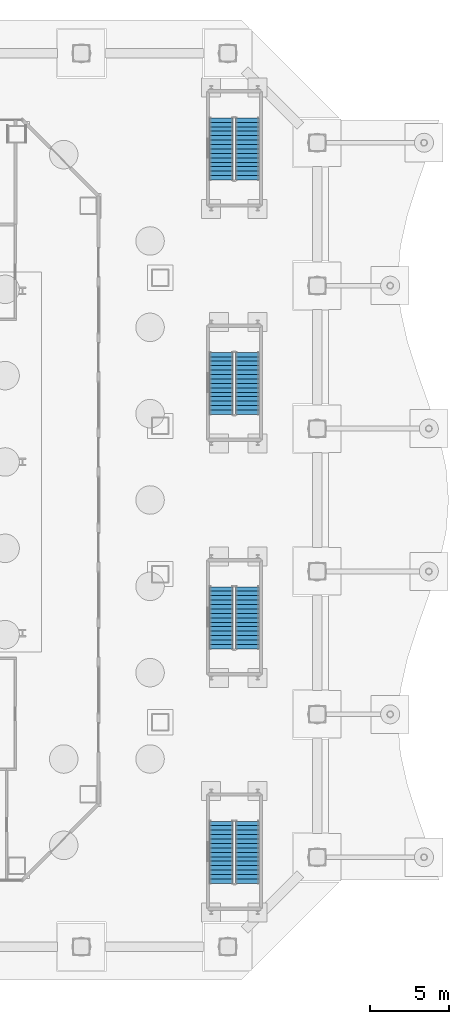
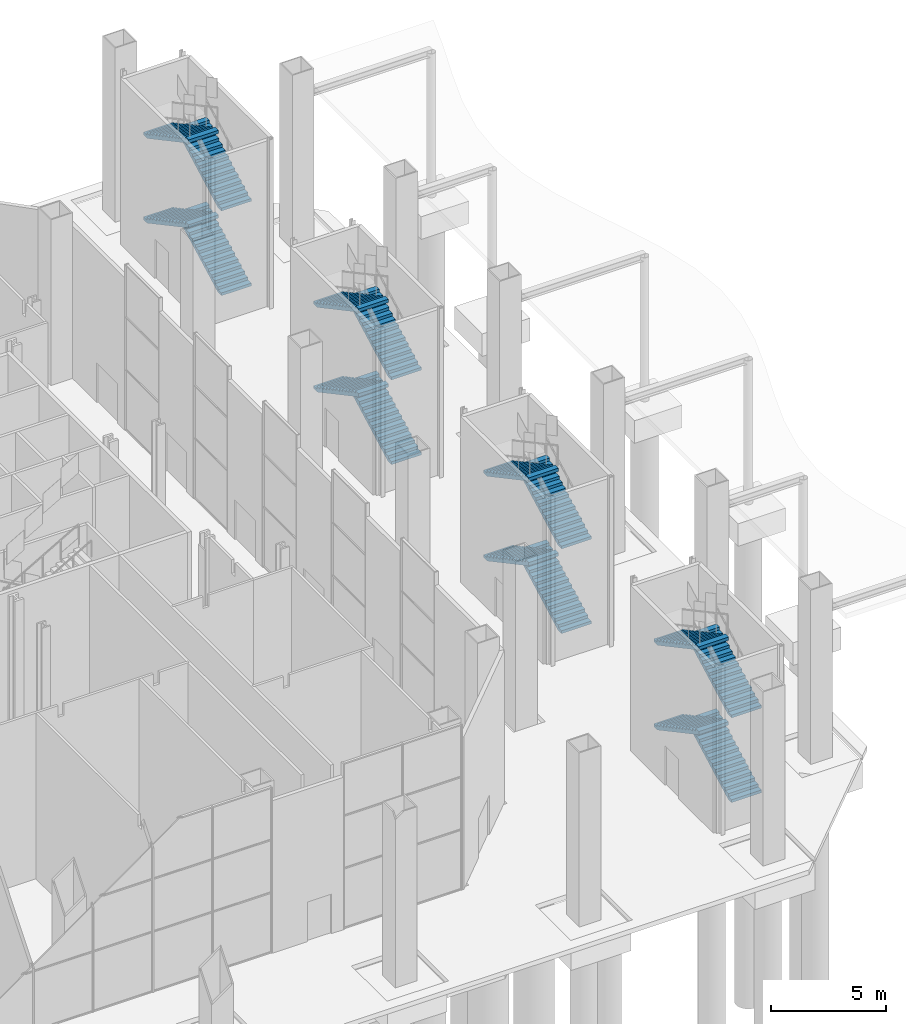
# One storey, part 29 of 38: 16 stair flights, 4 elements without a shape of their own.
"""IFC4 building model written with IfcOpenShell, lengths in metres."""

from ifc_helpers import new_model, si_unit, direction, frame, origin, place, context, subcontext, project, spatial, polyline, outline, extrude, material, type_object, element, aggregate, save


model = new_model("IFC4")

# Units and contexts
model_context = context("Model", 3, precision=1e-05, world=origin(), true_north=direction((0.0, 1.0)))
body_context = subcontext(model_context, "Body", "Model", "MODEL_VIEW")
ifc_project = project(units=[si_unit("LENGTHUNIT", "METRE"), si_unit("AREAUNIT", "SQUARE_METRE"), si_unit("VOLUMEUNIT", "CUBIC_METRE"), si_unit("PLANEANGLEUNIT", "RADIAN"), si_unit("MASSUNIT", "GRAM", prefix="KILO")], contexts=[model_context])

# Site, building, storey
site_placement = place(None, origin())
site = spatial("IfcSite", under=ifc_project, at=site_placement, CompositionType="ELEMENT")
building_placement = place(site_placement, origin())
building = spatial("IfcBuilding", under=site, at=building_placement, Name="Cairn Pilgrim Tower", CompositionType="ELEMENT")
storey_placement = place(building_placement, origin())
storey = spatial("IfcBuildingStorey", under=building, at=storey_placement, Name="L00", CompositionType="ELEMENT", Elevation=0.0)

# Stair, stair flights
ifc_material = material(Name="Concrete C35/45", Category="concrete")
stair_type = type_object("IfcStairType", Name="PODIUM EXIT STAIR 1500", PredefinedType="HALF_TURN_STAIR", material=ifc_material)
stair_1_placement = place(storey_placement, origin())
stair_1 = element("IfcStair", 1, at=stair_1_placement, inside=storey, type_object=stair_type, Name="L00 Exit Stair Es1", PredefinedType="HALF_TURN_STAIR")
stair_flight_type = type_object("IfcStairFlightType", Name="PODIUM STAIR FLIGHT 1500", PredefinedType="STRAIGHT", material=ifc_material)
stair_flight_1_placement = place(storey_placement, frame((33.39990234375, -24.199951171875, 0.0), z_axis=(0.0, 0.0, 1.0), x_axis=(0.0, 1.0, 0.0)))
stair_flight_1 = element("IfcStairFlight", 2, at=stair_flight_1_placement, type_object=stair_flight_type, Name="ST-ES1 flight 1", NumberOfRisers=15, NumberOfTreads=14, PredefinedType="STRAIGHT", RiserHeight=0.15, TreadLength=0.28, context=body_context, shape_type="SweptSolid", body=[
    extrude(outline(polyline([(0.0, 0.0), (0.0, 0.14990234375), (0.280029296875, 0.14990234375), (0.280029296875, 0.300048828125), (0.56005859375, 0.300048828125), (0.56005859375, 0.449951171875), (0.840087890625, 0.449951171875), (0.840087890625, 0.60009765625), (1.1201171875, 0.60009765625), (1.1201171875, 0.75), (1.39990234375, 0.75), (1.39990234375, 0.89990234375), (1.679931640625, 0.89990234375), (1.679931640625, 1.050048828125), (1.9599609375, 1.050048828125), (1.9599609375, 1.199951171875), (2.239990234375, 1.199951171875), (2.239990234375, 1.35009765625), (2.52001953125, 1.35009765625), (2.52001953125, 1.5), (2.800048828125, 1.5), (2.800048828125, 1.64990234375), (3.080078125, 1.64990234375), (3.080078125, 1.800048828125), (3.360107421875, 1.800048828125), (3.360107421875, 1.949951171875), (3.639892578125, 1.949951171875), (3.639892578125, 2.10009765625), (3.919921875, 2.10009765625), (3.919921875, 2.25), (3.919921875, 1.929931640625), (0.3173828125, 0.0), (0.0, 0.0)])), frame((0.0, 0.75, 0.0), z_axis=(0.0, -1.0, 0.0), x_axis=(1.0, 0.0, 0.0)), (0.0, 0.0, 1.0), 1.5),
])
stair_flight_2_placement = place(storey_placement, frame((31.75, -20.280029296875, 2.25), z_axis=(0.0, 0.0, 1.0), x_axis=(0.0, -1.0, 0.0)))
stair_flight_2 = element("IfcStairFlight", 3, at=stair_flight_2_placement, type_object=stair_flight_type, Name="ST-ES1 flight 2", NumberOfRisers=15, NumberOfTreads=14, PredefinedType="STRAIGHT", RiserHeight=0.15, TreadLength=0.28, context=body_context, shape_type="SweptSolid", body=[
    extrude(outline(polyline([(0.0, 0.0), (0.0, 0.14990234375), (0.280029296875, 0.14990234375), (0.280029296875, 0.300048828125), (0.56005859375, 0.300048828125), (0.56005859375, 0.449951171875), (0.840087890625, 0.449951171875), (0.840087890625, 0.60009765625), (1.1201171875, 0.60009765625), (1.1201171875, 0.75), (1.39990234375, 0.75), (1.39990234375, 0.89990234375), (1.679931640625, 0.89990234375), (1.679931640625, 1.050048828125), (1.9599609375, 1.050048828125), (1.9599609375, 1.199951171875), (2.239990234375, 1.199951171875), (2.239990234375, 1.35009765625), (2.52001953125, 1.35009765625), (2.52001953125, 1.5), (2.800048828125, 1.5), (2.800048828125, 1.64990234375), (3.080078125, 1.64990234375), (3.080078125, 1.800048828125), (3.360107421875, 1.800048828125), (3.360107421875, 1.949951171875), (3.639892578125, 1.949951171875), (3.639892578125, 2.10009765625), (3.919921875, 2.10009765625), (3.919921875, 2.25), (3.919921875, 1.929931640625), (0.3173828125, 0.0), (0.0, 0.0)])), frame((0.0, 0.75, 0.0), z_axis=(0.0, -1.0, 0.0), x_axis=(1.0, 0.0, 0.0)), (0.0, 0.0, 1.0), 1.5),
])
stair_flight_3_placement = place(storey_placement, frame((33.39990234375, -24.199951171875, 4.5), z_axis=(0.0, 0.0, 1.0), x_axis=(0.0, 1.0, 0.0)))
stair_flight_3 = element("IfcStairFlight", 4, at=stair_flight_3_placement, type_object=stair_flight_type, Name="ST-ES1 flight 3", NumberOfRisers=15, NumberOfTreads=14, PredefinedType="STRAIGHT", RiserHeight=0.15, TreadLength=0.28, context=body_context, shape_type="SweptSolid", body=[
    extrude(outline(polyline([(0.0, 0.0), (0.0, 0.14990234375), (0.280029296875, 0.14990234375), (0.280029296875, 0.300048828125), (0.56005859375, 0.300048828125), (0.56005859375, 0.449951171875), (0.840087890625, 0.449951171875), (0.840087890625, 0.60009765625), (1.1201171875, 0.60009765625), (1.1201171875, 0.75), (1.39990234375, 0.75), (1.39990234375, 0.89990234375), (1.679931640625, 0.89990234375), (1.679931640625, 1.050048828125), (1.9599609375, 1.050048828125), (1.9599609375, 1.199951171875), (2.239990234375, 1.199951171875), (2.239990234375, 1.35009765625), (2.52001953125, 1.35009765625), (2.52001953125, 1.5), (2.800048828125, 1.5), (2.800048828125, 1.64990234375), (3.080078125, 1.64990234375), (3.080078125, 1.800048828125), (3.360107421875, 1.800048828125), (3.360107421875, 1.949951171875), (3.639892578125, 1.949951171875), (3.639892578125, 2.10009765625), (3.919921875, 2.10009765625), (3.919921875, 2.25), (3.919921875, 1.929931640625), (0.3173828125, 0.0), (0.0, 0.0)])), frame((0.0, 0.75, 0.0), z_axis=(0.0, -1.0, 0.0), x_axis=(1.0, 0.0, 0.0)), (0.0, 0.0, 1.0), 1.5),
])
stair_flight_4_placement = place(storey_placement, frame((31.75, -20.280029296875, 6.75), z_axis=(0.0, 0.0, 1.0), x_axis=(0.0, -1.0, 0.0)))
stair_flight_4 = element("IfcStairFlight", 5, at=stair_flight_4_placement, type_object=stair_flight_type, Name="ST-ES1 flight 4", NumberOfRisers=15, NumberOfTreads=14, PredefinedType="STRAIGHT", RiserHeight=0.15, TreadLength=0.28, context=body_context, shape_type="SweptSolid", body=[
    extrude(outline(polyline([(0.0, 0.0), (0.0, 0.14990234375), (0.280029296875, 0.14990234375), (0.280029296875, 0.300048828125), (0.56005859375, 0.300048828125), (0.56005859375, 0.449951171875), (0.840087890625, 0.449951171875), (0.840087890625, 0.60009765625), (1.1201171875, 0.60009765625), (1.1201171875, 0.75), (1.39990234375, 0.75), (1.39990234375, 0.89990234375), (1.679931640625, 0.89990234375), (1.679931640625, 1.050048828125), (1.9599609375, 1.050048828125), (1.9599609375, 1.199951171875), (2.239990234375, 1.199951171875), (2.239990234375, 1.35009765625), (2.52001953125, 1.35009765625), (2.52001953125, 1.5), (2.800048828125, 1.5), (2.800048828125, 1.64990234375), (3.080078125, 1.64990234375), (3.080078125, 1.800048828125), (3.360107421875, 1.800048828125), (3.360107421875, 1.949951171875), (3.639892578125, 1.949951171875), (3.639892578125, 2.10009765625), (3.919921875, 2.10009765625), (3.919921875, 2.25), (3.919921875, 1.929931640625), (0.3173828125, 0.0), (0.0, 0.0)])), frame((0.0, 0.75, 0.0), z_axis=(0.0, -1.0, 0.0), x_axis=(1.0, 0.0, 0.0)), (0.0, 0.0, 1.0), 1.5),
])
aggregate(stair_1, [stair_flight_1, stair_flight_2, stair_flight_3, stair_flight_4])

stair_2_placement = place(storey_placement, origin())
stair_2 = element("IfcStair", 6, at=stair_2_placement, inside=storey, type_object=stair_type, Name="L00 Exit Stair Es2", PredefinedType="HALF_TURN_STAIR")
stair_flight_5_placement = place(storey_placement, frame((33.39990234375, -9.39990234375, 0.0), z_axis=(0.0, 0.0, 1.0), x_axis=(0.0, 1.0, 0.0)))
stair_flight_5 = element("IfcStairFlight", 7, at=stair_flight_5_placement, type_object=stair_flight_type, Name="ST-ES2 flight 1", NumberOfRisers=15, NumberOfTreads=14, PredefinedType="STRAIGHT", RiserHeight=0.15, TreadLength=0.28, context=body_context, shape_type="SweptSolid", body=[
    extrude(outline(polyline([(0.0, 0.0), (0.0, 0.14990234375), (0.280029296875, 0.14990234375), (0.280029296875, 0.300048828125), (0.56005859375, 0.300048828125), (0.56005859375, 0.449951171875), (0.840087890625, 0.449951171875), (0.840087890625, 0.60009765625), (1.1201171875, 0.60009765625), (1.1201171875, 0.75), (1.39990234375, 0.75), (1.39990234375, 0.89990234375), (1.679931640625, 0.89990234375), (1.679931640625, 1.050048828125), (1.9599609375, 1.050048828125), (1.9599609375, 1.199951171875), (2.239990234375, 1.199951171875), (2.239990234375, 1.35009765625), (2.52001953125, 1.35009765625), (2.52001953125, 1.5), (2.800048828125, 1.5), (2.800048828125, 1.64990234375), (3.080078125, 1.64990234375), (3.080078125, 1.800048828125), (3.360107421875, 1.800048828125), (3.360107421875, 1.949951171875), (3.639892578125, 1.949951171875), (3.639892578125, 2.10009765625), (3.919921875, 2.10009765625), (3.919921875, 2.25), (3.919921875, 1.929931640625), (0.3173828125, 0.0), (0.0, 0.0)])), frame((0.0, 0.75, 0.0), z_axis=(0.0, -1.0, 0.0), x_axis=(1.0, 0.0, 0.0)), (0.0, 0.0, 1.0), 1.5),
])
stair_flight_6_placement = place(storey_placement, frame((31.75, -5.47998046875, 2.25), z_axis=(0.0, 0.0, 1.0), x_axis=(0.0, -1.0, 0.0)))
stair_flight_6 = element("IfcStairFlight", 8, at=stair_flight_6_placement, type_object=stair_flight_type, Name="ST-ES2 flight 2", NumberOfRisers=15, NumberOfTreads=14, PredefinedType="STRAIGHT", RiserHeight=0.15, TreadLength=0.28, context=body_context, shape_type="SweptSolid", body=[
    extrude(outline(polyline([(0.0, 0.0), (0.0, 0.14990234375), (0.280029296875, 0.14990234375), (0.280029296875, 0.300048828125), (0.56005859375, 0.300048828125), (0.56005859375, 0.449951171875), (0.840087890625, 0.449951171875), (0.840087890625, 0.60009765625), (1.1201171875, 0.60009765625), (1.1201171875, 0.75), (1.39990234375, 0.75), (1.39990234375, 0.89990234375), (1.679931640625, 0.89990234375), (1.679931640625, 1.050048828125), (1.9599609375, 1.050048828125), (1.9599609375, 1.199951171875), (2.239990234375, 1.199951171875), (2.239990234375, 1.35009765625), (2.52001953125, 1.35009765625), (2.52001953125, 1.5), (2.800048828125, 1.5), (2.800048828125, 1.64990234375), (3.080078125, 1.64990234375), (3.080078125, 1.800048828125), (3.360107421875, 1.800048828125), (3.360107421875, 1.949951171875), (3.639892578125, 1.949951171875), (3.639892578125, 2.10009765625), (3.919921875, 2.10009765625), (3.919921875, 2.25), (3.919921875, 1.929931640625), (0.3173828125, 0.0), (0.0, 0.0)])), frame((0.0, 0.75, 0.0), z_axis=(0.0, -1.0, 0.0), x_axis=(1.0, 0.0, 0.0)), (0.0, 0.0, 1.0), 1.5),
])
stair_flight_7_placement = place(storey_placement, frame((33.39990234375, -9.39990234375, 4.5), z_axis=(0.0, 0.0, 1.0), x_axis=(0.0, 1.0, 0.0)))
stair_flight_7 = element("IfcStairFlight", 9, at=stair_flight_7_placement, type_object=stair_flight_type, Name="ST-ES2 flight 3", NumberOfRisers=15, NumberOfTreads=14, PredefinedType="STRAIGHT", RiserHeight=0.15, TreadLength=0.28, context=body_context, shape_type="SweptSolid", body=[
    extrude(outline(polyline([(0.0, 0.0), (0.0, 0.14990234375), (0.280029296875, 0.14990234375), (0.280029296875, 0.300048828125), (0.56005859375, 0.300048828125), (0.56005859375, 0.449951171875), (0.840087890625, 0.449951171875), (0.840087890625, 0.60009765625), (1.1201171875, 0.60009765625), (1.1201171875, 0.75), (1.39990234375, 0.75), (1.39990234375, 0.89990234375), (1.679931640625, 0.89990234375), (1.679931640625, 1.050048828125), (1.9599609375, 1.050048828125), (1.9599609375, 1.199951171875), (2.239990234375, 1.199951171875), (2.239990234375, 1.35009765625), (2.52001953125, 1.35009765625), (2.52001953125, 1.5), (2.800048828125, 1.5), (2.800048828125, 1.64990234375), (3.080078125, 1.64990234375), (3.080078125, 1.800048828125), (3.360107421875, 1.800048828125), (3.360107421875, 1.949951171875), (3.639892578125, 1.949951171875), (3.639892578125, 2.10009765625), (3.919921875, 2.10009765625), (3.919921875, 2.25), (3.919921875, 1.929931640625), (0.3173828125, 0.0), (0.0, 0.0)])), frame((0.0, 0.75, 0.0), z_axis=(0.0, -1.0, 0.0), x_axis=(1.0, 0.0, 0.0)), (0.0, 0.0, 1.0), 1.5),
])
stair_flight_8_placement = place(storey_placement, frame((31.75, -5.47998046875, 6.75), z_axis=(0.0, 0.0, 1.0), x_axis=(0.0, -1.0, 0.0)))
stair_flight_8 = element("IfcStairFlight", 10, at=stair_flight_8_placement, type_object=stair_flight_type, Name="ST-ES2 flight 4", NumberOfRisers=15, NumberOfTreads=14, PredefinedType="STRAIGHT", RiserHeight=0.15, TreadLength=0.28, context=body_context, shape_type="SweptSolid", body=[
    extrude(outline(polyline([(0.0, 0.0), (0.0, 0.14990234375), (0.280029296875, 0.14990234375), (0.280029296875, 0.300048828125), (0.56005859375, 0.300048828125), (0.56005859375, 0.449951171875), (0.840087890625, 0.449951171875), (0.840087890625, 0.60009765625), (1.1201171875, 0.60009765625), (1.1201171875, 0.75), (1.39990234375, 0.75), (1.39990234375, 0.89990234375), (1.679931640625, 0.89990234375), (1.679931640625, 1.050048828125), (1.9599609375, 1.050048828125), (1.9599609375, 1.199951171875), (2.239990234375, 1.199951171875), (2.239990234375, 1.35009765625), (2.52001953125, 1.35009765625), (2.52001953125, 1.5), (2.800048828125, 1.5), (2.800048828125, 1.64990234375), (3.080078125, 1.64990234375), (3.080078125, 1.800048828125), (3.360107421875, 1.800048828125), (3.360107421875, 1.949951171875), (3.639892578125, 1.949951171875), (3.639892578125, 2.10009765625), (3.919921875, 2.10009765625), (3.919921875, 2.25), (3.919921875, 1.929931640625), (0.3173828125, 0.0), (0.0, 0.0)])), frame((0.0, 0.75, 0.0), z_axis=(0.0, -1.0, 0.0), x_axis=(1.0, 0.0, 0.0)), (0.0, 0.0, 1.0), 1.5),
])
aggregate(stair_2, [stair_flight_5, stair_flight_6, stair_flight_7, stair_flight_8])

stair_3_placement = place(storey_placement, origin())
stair_3 = element("IfcStair", 11, at=stair_3_placement, inside=storey, type_object=stair_type, Name="L00 Exit Stair Es3", PredefinedType="HALF_TURN_STAIR")
stair_flight_9_placement = place(storey_placement, frame((33.39990234375, 5.39990234375, 0.0), z_axis=(0.0, 0.0, 1.0), x_axis=(0.0, 1.0, 0.0)))
stair_flight_9 = element("IfcStairFlight", 12, at=stair_flight_9_placement, type_object=stair_flight_type, Name="ST-ES3 flight 1", NumberOfRisers=15, NumberOfTreads=14, PredefinedType="STRAIGHT", RiserHeight=0.15, TreadLength=0.28, context=body_context, shape_type="SweptSolid", body=[
    extrude(outline(polyline([(0.0, 0.0), (0.0, 0.14990234375), (0.280029296875, 0.14990234375), (0.280029296875, 0.300048828125), (0.56005859375, 0.300048828125), (0.56005859375, 0.449951171875), (0.840087890625, 0.449951171875), (0.840087890625, 0.60009765625), (1.1201171875, 0.60009765625), (1.1201171875, 0.75), (1.39990234375, 0.75), (1.39990234375, 0.89990234375), (1.679931640625, 0.89990234375), (1.679931640625, 1.050048828125), (1.9599609375, 1.050048828125), (1.9599609375, 1.199951171875), (2.239990234375, 1.199951171875), (2.239990234375, 1.35009765625), (2.52001953125, 1.35009765625), (2.52001953125, 1.5), (2.800048828125, 1.5), (2.800048828125, 1.64990234375), (3.080078125, 1.64990234375), (3.080078125, 1.800048828125), (3.360107421875, 1.800048828125), (3.360107421875, 1.949951171875), (3.639892578125, 1.949951171875), (3.639892578125, 2.10009765625), (3.919921875, 2.10009765625), (3.919921875, 2.25), (3.919921875, 1.929931640625), (0.3173828125, 0.0), (0.0, 0.0)])), frame((0.0, 0.75, 0.0), z_axis=(0.0, -1.0, 0.0), x_axis=(1.0, 0.0, 0.0)), (0.0, 0.0, 1.0), 1.5),
])
stair_flight_10_placement = place(storey_placement, frame((31.75, 9.320068359375, 2.25), z_axis=(0.0, 0.0, 1.0), x_axis=(0.0, -1.0, 0.0)))
stair_flight_10 = element("IfcStairFlight", 13, at=stair_flight_10_placement, type_object=stair_flight_type, Name="ST-ES3 flight 2", NumberOfRisers=15, NumberOfTreads=14, PredefinedType="STRAIGHT", RiserHeight=0.15, TreadLength=0.28, context=body_context, shape_type="SweptSolid", body=[
    extrude(outline(polyline([(0.0, 0.0), (0.0, 0.14990234375), (0.280029296875, 0.14990234375), (0.280029296875, 0.300048828125), (0.56005859375, 0.300048828125), (0.56005859375, 0.449951171875), (0.840087890625, 0.449951171875), (0.840087890625, 0.60009765625), (1.1201171875, 0.60009765625), (1.1201171875, 0.75), (1.39990234375, 0.75), (1.39990234375, 0.89990234375), (1.679931640625, 0.89990234375), (1.679931640625, 1.050048828125), (1.9599609375, 1.050048828125), (1.9599609375, 1.199951171875), (2.239990234375, 1.199951171875), (2.239990234375, 1.35009765625), (2.52001953125, 1.35009765625), (2.52001953125, 1.5), (2.800048828125, 1.5), (2.800048828125, 1.64990234375), (3.080078125, 1.64990234375), (3.080078125, 1.800048828125), (3.360107421875, 1.800048828125), (3.360107421875, 1.949951171875), (3.639892578125, 1.949951171875), (3.639892578125, 2.10009765625), (3.919921875, 2.10009765625), (3.919921875, 2.25), (3.919921875, 1.929931640625), (0.3173828125, 0.0), (0.0, 0.0)])), frame((0.0, 0.75, 0.0), z_axis=(0.0, -1.0, 0.0), x_axis=(1.0, 0.0, 0.0)), (0.0, 0.0, 1.0), 1.5),
])
stair_flight_11_placement = place(storey_placement, frame((33.39990234375, 5.39990234375, 4.5), z_axis=(0.0, 0.0, 1.0), x_axis=(0.0, 1.0, 0.0)))
stair_flight_11 = element("IfcStairFlight", 14, at=stair_flight_11_placement, type_object=stair_flight_type, Name="ST-ES3 flight 3", NumberOfRisers=15, NumberOfTreads=14, PredefinedType="STRAIGHT", RiserHeight=0.15, TreadLength=0.28, context=body_context, shape_type="SweptSolid", body=[
    extrude(outline(polyline([(0.0, 0.0), (0.0, 0.14990234375), (0.280029296875, 0.14990234375), (0.280029296875, 0.300048828125), (0.56005859375, 0.300048828125), (0.56005859375, 0.449951171875), (0.840087890625, 0.449951171875), (0.840087890625, 0.60009765625), (1.1201171875, 0.60009765625), (1.1201171875, 0.75), (1.39990234375, 0.75), (1.39990234375, 0.89990234375), (1.679931640625, 0.89990234375), (1.679931640625, 1.050048828125), (1.9599609375, 1.050048828125), (1.9599609375, 1.199951171875), (2.239990234375, 1.199951171875), (2.239990234375, 1.35009765625), (2.52001953125, 1.35009765625), (2.52001953125, 1.5), (2.800048828125, 1.5), (2.800048828125, 1.64990234375), (3.080078125, 1.64990234375), (3.080078125, 1.800048828125), (3.360107421875, 1.800048828125), (3.360107421875, 1.949951171875), (3.639892578125, 1.949951171875), (3.639892578125, 2.10009765625), (3.919921875, 2.10009765625), (3.919921875, 2.25), (3.919921875, 1.929931640625), (0.3173828125, 0.0), (0.0, 0.0)])), frame((0.0, 0.75, 0.0), z_axis=(0.0, -1.0, 0.0), x_axis=(1.0, 0.0, 0.0)), (0.0, 0.0, 1.0), 1.5),
])
stair_flight_12_placement = place(storey_placement, frame((31.75, 9.320068359375, 6.75), z_axis=(0.0, 0.0, 1.0), x_axis=(0.0, -1.0, 0.0)))
stair_flight_12 = element("IfcStairFlight", 15, at=stair_flight_12_placement, type_object=stair_flight_type, Name="ST-ES3 flight 4", NumberOfRisers=15, NumberOfTreads=14, PredefinedType="STRAIGHT", RiserHeight=0.15, TreadLength=0.28, context=body_context, shape_type="SweptSolid", body=[
    extrude(outline(polyline([(0.0, 0.0), (0.0, 0.14990234375), (0.280029296875, 0.14990234375), (0.280029296875, 0.300048828125), (0.56005859375, 0.300048828125), (0.56005859375, 0.449951171875), (0.840087890625, 0.449951171875), (0.840087890625, 0.60009765625), (1.1201171875, 0.60009765625), (1.1201171875, 0.75), (1.39990234375, 0.75), (1.39990234375, 0.89990234375), (1.679931640625, 0.89990234375), (1.679931640625, 1.050048828125), (1.9599609375, 1.050048828125), (1.9599609375, 1.199951171875), (2.239990234375, 1.199951171875), (2.239990234375, 1.35009765625), (2.52001953125, 1.35009765625), (2.52001953125, 1.5), (2.800048828125, 1.5), (2.800048828125, 1.64990234375), (3.080078125, 1.64990234375), (3.080078125, 1.800048828125), (3.360107421875, 1.800048828125), (3.360107421875, 1.949951171875), (3.639892578125, 1.949951171875), (3.639892578125, 2.10009765625), (3.919921875, 2.10009765625), (3.919921875, 2.25), (3.919921875, 1.929931640625), (0.3173828125, 0.0), (0.0, 0.0)])), frame((0.0, 0.75, 0.0), z_axis=(0.0, -1.0, 0.0), x_axis=(1.0, 0.0, 0.0)), (0.0, 0.0, 1.0), 1.5),
])
aggregate(stair_3, [stair_flight_9, stair_flight_10, stair_flight_11, stair_flight_12])

stair_4_placement = place(storey_placement, origin())
stair_4 = element("IfcStair", 16, at=stair_4_placement, inside=storey, type_object=stair_type, Name="L00 Exit Stair Es4", PredefinedType="HALF_TURN_STAIR")
stair_flight_13_placement = place(storey_placement, frame((33.39990234375, 20.199951171875, 0.0), z_axis=(0.0, 0.0, 1.0), x_axis=(0.0, 1.0, 0.0)))
stair_flight_13 = element("IfcStairFlight", 17, at=stair_flight_13_placement, type_object=stair_flight_type, Name="ST-ES4 flight 1", NumberOfRisers=15, NumberOfTreads=14, PredefinedType="STRAIGHT", RiserHeight=0.15, TreadLength=0.28, context=body_context, shape_type="SweptSolid", body=[
    extrude(outline(polyline([(0.0, 0.0), (0.0, 0.14990234375), (0.280029296875, 0.14990234375), (0.280029296875, 0.300048828125), (0.56005859375, 0.300048828125), (0.56005859375, 0.449951171875), (0.840087890625, 0.449951171875), (0.840087890625, 0.60009765625), (1.1201171875, 0.60009765625), (1.1201171875, 0.75), (1.39990234375, 0.75), (1.39990234375, 0.89990234375), (1.679931640625, 0.89990234375), (1.679931640625, 1.050048828125), (1.9599609375, 1.050048828125), (1.9599609375, 1.199951171875), (2.239990234375, 1.199951171875), (2.239990234375, 1.35009765625), (2.52001953125, 1.35009765625), (2.52001953125, 1.5), (2.800048828125, 1.5), (2.800048828125, 1.64990234375), (3.080078125, 1.64990234375), (3.080078125, 1.800048828125), (3.360107421875, 1.800048828125), (3.360107421875, 1.949951171875), (3.639892578125, 1.949951171875), (3.639892578125, 2.10009765625), (3.919921875, 2.10009765625), (3.919921875, 2.25), (3.919921875, 1.929931640625), (0.3173828125, 0.0), (0.0, 0.0)])), frame((0.0, 0.75, 0.0), z_axis=(0.0, -1.0, 0.0), x_axis=(1.0, 0.0, 0.0)), (0.0, 0.0, 1.0), 1.5),
])
stair_flight_14_placement = place(storey_placement, frame((31.75, 24.1201171875, 2.25), z_axis=(0.0, 0.0, 1.0), x_axis=(0.0, -1.0, 0.0)))
stair_flight_14 = element("IfcStairFlight", 18, at=stair_flight_14_placement, type_object=stair_flight_type, Name="ST-ES4 flight 2", NumberOfRisers=15, NumberOfTreads=14, PredefinedType="STRAIGHT", RiserHeight=0.15, TreadLength=0.28, context=body_context, shape_type="SweptSolid", body=[
    extrude(outline(polyline([(0.0, 0.0), (0.0, 0.14990234375), (0.280029296875, 0.14990234375), (0.280029296875, 0.300048828125), (0.56005859375, 0.300048828125), (0.56005859375, 0.449951171875), (0.840087890625, 0.449951171875), (0.840087890625, 0.60009765625), (1.1201171875, 0.60009765625), (1.1201171875, 0.75), (1.39990234375, 0.75), (1.39990234375, 0.89990234375), (1.679931640625, 0.89990234375), (1.679931640625, 1.050048828125), (1.9599609375, 1.050048828125), (1.9599609375, 1.199951171875), (2.239990234375, 1.199951171875), (2.239990234375, 1.35009765625), (2.52001953125, 1.35009765625), (2.52001953125, 1.5), (2.800048828125, 1.5), (2.800048828125, 1.64990234375), (3.080078125, 1.64990234375), (3.080078125, 1.800048828125), (3.360107421875, 1.800048828125), (3.360107421875, 1.949951171875), (3.639892578125, 1.949951171875), (3.639892578125, 2.10009765625), (3.919921875, 2.10009765625), (3.919921875, 2.25), (3.919921875, 1.929931640625), (0.3173828125, 0.0), (0.0, 0.0)])), frame((0.0, 0.75, 0.0), z_axis=(0.0, -1.0, 0.0), x_axis=(1.0, 0.0, 0.0)), (0.0, 0.0, 1.0), 1.5),
])
stair_flight_15_placement = place(storey_placement, frame((33.39990234375, 20.199951171875, 4.5), z_axis=(0.0, 0.0, 1.0), x_axis=(0.0, 1.0, 0.0)))
stair_flight_15 = element("IfcStairFlight", 19, at=stair_flight_15_placement, type_object=stair_flight_type, Name="ST-ES4 flight 3", NumberOfRisers=15, NumberOfTreads=14, PredefinedType="STRAIGHT", RiserHeight=0.15, TreadLength=0.28, context=body_context, shape_type="SweptSolid", body=[
    extrude(outline(polyline([(0.0, 0.0), (0.0, 0.14990234375), (0.280029296875, 0.14990234375), (0.280029296875, 0.300048828125), (0.56005859375, 0.300048828125), (0.56005859375, 0.449951171875), (0.840087890625, 0.449951171875), (0.840087890625, 0.60009765625), (1.1201171875, 0.60009765625), (1.1201171875, 0.75), (1.39990234375, 0.75), (1.39990234375, 0.89990234375), (1.679931640625, 0.89990234375), (1.679931640625, 1.050048828125), (1.9599609375, 1.050048828125), (1.9599609375, 1.199951171875), (2.239990234375, 1.199951171875), (2.239990234375, 1.35009765625), (2.52001953125, 1.35009765625), (2.52001953125, 1.5), (2.800048828125, 1.5), (2.800048828125, 1.64990234375), (3.080078125, 1.64990234375), (3.080078125, 1.800048828125), (3.360107421875, 1.800048828125), (3.360107421875, 1.949951171875), (3.639892578125, 1.949951171875), (3.639892578125, 2.10009765625), (3.919921875, 2.10009765625), (3.919921875, 2.25), (3.919921875, 1.929931640625), (0.3173828125, 0.0), (0.0, 0.0)])), frame((0.0, 0.75, 0.0), z_axis=(0.0, -1.0, 0.0), x_axis=(1.0, 0.0, 0.0)), (0.0, 0.0, 1.0), 1.5),
])
stair_flight_16_placement = place(storey_placement, frame((31.75, 24.1201171875, 6.75), z_axis=(0.0, 0.0, 1.0), x_axis=(0.0, -1.0, 0.0)))
stair_flight_16 = element("IfcStairFlight", 20, at=stair_flight_16_placement, type_object=stair_flight_type, Name="ST-ES4 flight 4", NumberOfRisers=15, NumberOfTreads=14, PredefinedType="STRAIGHT", RiserHeight=0.15, TreadLength=0.28, context=body_context, shape_type="SweptSolid", body=[
    extrude(outline(polyline([(0.0, 0.0), (0.0, 0.14990234375), (0.280029296875, 0.14990234375), (0.280029296875, 0.300048828125), (0.56005859375, 0.300048828125), (0.56005859375, 0.449951171875), (0.840087890625, 0.449951171875), (0.840087890625, 0.60009765625), (1.1201171875, 0.60009765625), (1.1201171875, 0.75), (1.39990234375, 0.75), (1.39990234375, 0.89990234375), (1.679931640625, 0.89990234375), (1.679931640625, 1.050048828125), (1.9599609375, 1.050048828125), (1.9599609375, 1.199951171875), (2.239990234375, 1.199951171875), (2.239990234375, 1.35009765625), (2.52001953125, 1.35009765625), (2.52001953125, 1.5), (2.800048828125, 1.5), (2.800048828125, 1.64990234375), (3.080078125, 1.64990234375), (3.080078125, 1.800048828125), (3.360107421875, 1.800048828125), (3.360107421875, 1.949951171875), (3.639892578125, 1.949951171875), (3.639892578125, 2.10009765625), (3.919921875, 2.10009765625), (3.919921875, 2.25), (3.919921875, 1.929931640625), (0.3173828125, 0.0), (0.0, 0.0)])), frame((0.0, 0.75, 0.0), z_axis=(0.0, -1.0, 0.0), x_axis=(1.0, 0.0, 0.0)), (0.0, 0.0, 1.0), 1.5),
])
aggregate(stair_4, [stair_flight_13, stair_flight_14, stair_flight_15, stair_flight_16])

save(model, "model.ifc")
